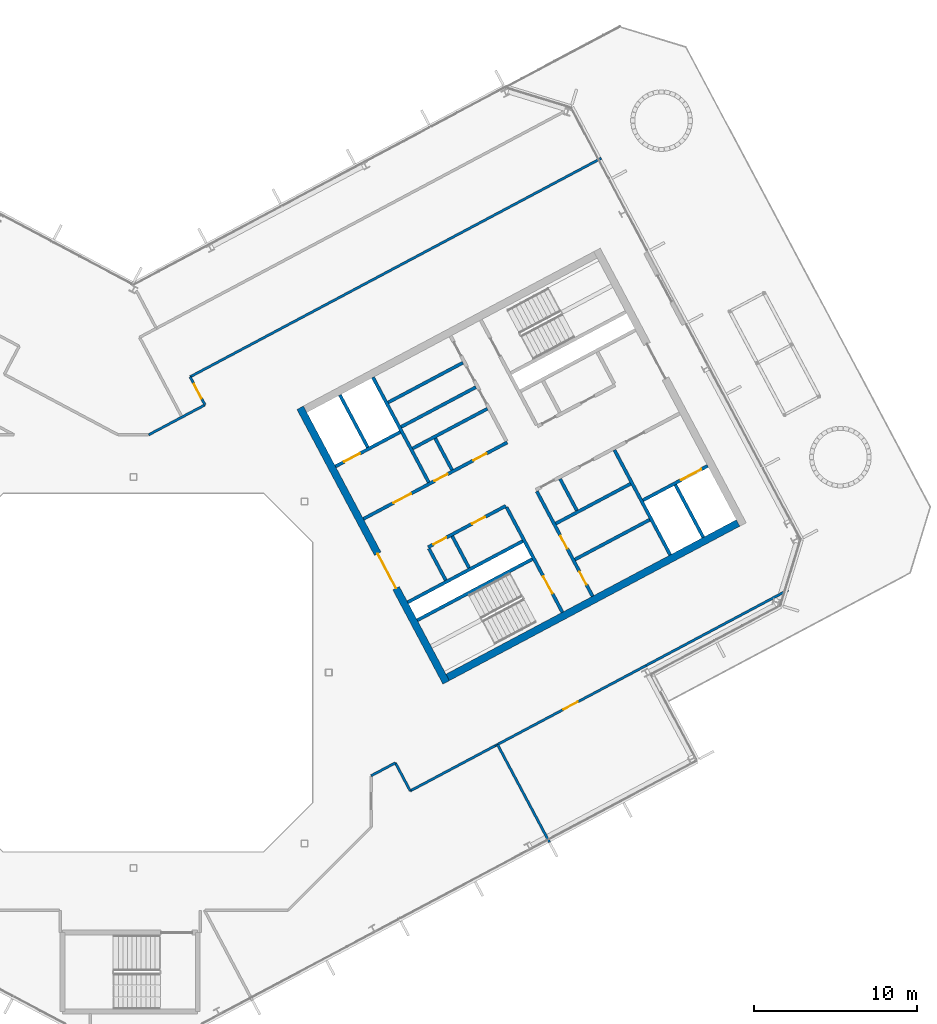
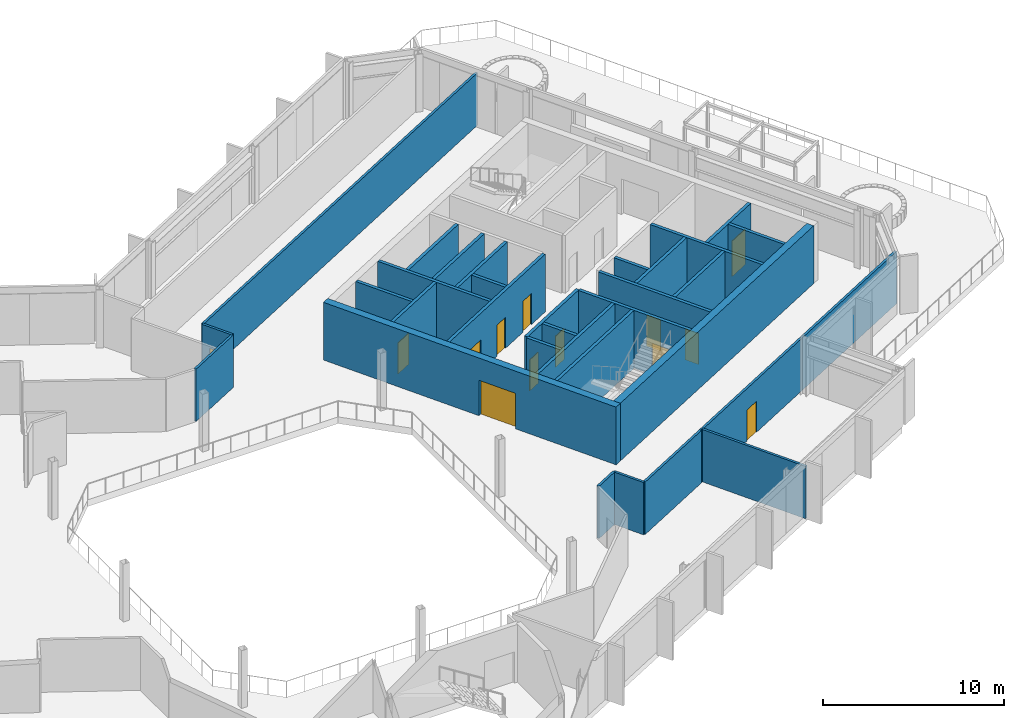
# One storey, part 17 of 30: 32 walls, 13 doors, 13 openings.
"""IFC4 building model written with IfcOpenShell, lengths in metres."""

from ifc_helpers import new_model, si_unit, direction, frame, frame_2d, origin, place, context, subcontext, project, spatial, rectangle, extrude, material, layer, layer_set, type_object, element, fill, save


model = new_model("IFC4")

# Units and contexts
model_context = context("Model", 3, precision=1e-05, world=origin(), true_north=direction((0.0, 1.0)))
body_context = subcontext(model_context, "Body", "Model", "MODEL_VIEW")
ifc_project = project(units=[si_unit("LENGTHUNIT", "METRE"), si_unit("AREAUNIT", "SQUARE_METRE"), si_unit("VOLUMEUNIT", "CUBIC_METRE"), si_unit("PLANEANGLEUNIT", "RADIAN"), si_unit("MASSUNIT", "GRAM", prefix="KILO")], contexts=[model_context])

# Site, building, storey
site_placement = place(None, origin())
site = spatial("IfcSite", under=ifc_project, at=site_placement, CompositionType="ELEMENT")
building_placement = place(site_placement, origin())
building = spatial("IfcBuilding", under=site, at=building_placement, Name="Cormorant Relay Tower", CompositionType="ELEMENT")
storey_placement = place(building_placement, frame((0.0, 0.0, 258.0)))
storey = spatial("IfcBuildingStorey", under=building, at=storey_placement, Name="L57", CompositionType="ELEMENT", Elevation=258.0)

# Walls
ifc_material_1 = material(Name="Concrete 40 MPa", Category="concrete")
ifc_layer_1 = layer(ifc_material_1, 0.199951171875)
ifc_layer_set_1 = layer_set([ifc_layer_1], Name="Core internal wall 200")
wall_type_1 = type_object("IfcWallType", Name="Core internal wall 200", PredefinedType="SOLIDWALL", material=ifc_layer_set_1)
for number, where, z_axis, x_axis, name in (
    (1, (20.614013671875, 6.430419921875, 0.0), (0.0, 0.0, 1.0), (-0.4694473164, 0.882960484464, 0.0), "L57 core B shaft and room wall"),
    (2, (19.568603515625, 12.443603515625, 0.0), (0.0, 0.0, 1.0), (-0.4694473164, 0.882960484464, 0.0), "L57 core B shaft and room wall"),
    (3, (27.236083984375, 9.951416015625, 0.0), (0.0, 0.0, 1.0), (-0.4694473164, 0.882960484464, 0.0), "L57 core B shaft and room wall"),
):
    element("IfcWall", number, at=place(storey_placement, frame(where, z_axis=z_axis, x_axis=x_axis)), inside=storey, type_object=wall_type_1, Name=name, PredefinedType="SOLIDWALL", context=body_context, shape_type="SweptSolid", body=[
        extrude(rectangle(XDim=2.199951171875, YDim=0.199951171875, at=frame_2d((1.10009765625, 0.0))), origin(), (0.0, 0.0, 1.0), 3.89990234375),
    ])
for number, where, z_axis, x_axis, name in (
    (4, (27.11474609375, 6.942138671875, 0.0), (0.0, 0.0, 1.0), (0.882934506056, 0.469496174655, 0.0), "L57 core B shaft and room wall"),
    (5, (16.442626953125, 15.085205078125, 0.0), (0.0, 0.0, 1.0), (0.882953967957, 0.469459572775, 0.0), "L57 core B shaft and room wall"),
    (6, (15.64453125, 16.586181640625, 0.0), (0.0, 0.0, 1.0), (0.882953967957, 0.469459572775, 0.0), "L57 core B shaft and room wall"),
):
    element("IfcWall", number, at=place(storey_placement, frame(where, z_axis=z_axis, x_axis=x_axis)), inside=storey, type_object=wall_type_1, Name=name, PredefinedType="SOLIDWALL", context=body_context, shape_type="SweptSolid", body=[
        extrude(rectangle(XDim=5.199951171875, YDim=0.199951171875, at=frame_2d((2.60009765625, 0.0))), origin(), (0.0, 0.0, 1.0), 3.89990234375),
    ])
ifc_material_2 = material(Name="Concrete 50 MPa", Category="concrete")
ifc_layer_2 = layer(ifc_material_2, 0.199951171875)
ifc_layer_set_2 = layer_set([ifc_layer_2], Name="Core shaft wall 200")
wall_type_2 = type_object("IfcWallType", Name="Core shaft wall 200", PredefinedType="SHEAR", material=ifc_layer_set_2)
wall_1_placement = place(storey_placement, frame((14.39404296875, 13.825927734375, 0.0), z_axis=(0.0, 0.0, 1.0), x_axis=(-0.469494272526, 0.882935517501, 0.0)))
element("IfcWall", 7, at=wall_1_placement, inside=storey, type_object=wall_type_2, Name="L57 core B shaft wall", PredefinedType="SHEAR", context=body_context, shape_type="SweptSolid", body=[
    extrude(rectangle(XDim=3.64990234375, YDim=0.199951171875, at=frame_2d((1.824951171875, 0.0))), origin(), (0.0, 0.0, 1.0), 3.89990234375),
])
wall_2_placement = place(storey_placement, frame((19.18359375, 5.669921875, 0.0), z_axis=(0.0, 0.0, 1.0), x_axis=(-0.4694473164, 0.882960484464, 0.0)))
element("IfcWall", 8, at=wall_2_placement, inside=storey, type_object=wall_type_2, Name="L57 core B shaft wall", PredefinedType="SHEAR", context=body_context, shape_type="SweptSolid", body=[
    extrude(rectangle(XDim=2.199951171875, YDim=0.199951171875, at=frame_2d((1.10009765625, 0.0))), origin(), (0.0, 0.0, 1.0), 3.89990234375),
])
wall_3_placement = place(storey_placement, frame((18.138427734375, 11.682861328125, 0.0), z_axis=(0.0, 0.0, 1.0), x_axis=(-0.469480409012, 0.88294288918, 0.0)))
element("IfcWall", 9, at=wall_3_placement, inside=storey, type_object=wall_type_2, Name="L57 core B shaft wall", PredefinedType="SHEAR", context=body_context, shape_type="SweptSolid", body=[
    extrude(rectangle(XDim=7.300048828125, YDim=0.199951171875, at=frame_2d((3.64990234375, 0.0))), origin(), (0.0, 0.0, 1.0), 3.89990234375),
])

# Wall, opening, door
wall_4_placement = place(storey_placement, frame((26.345947265625, 3.701904296875, 0.0), z_axis=(0.0, 0.0, 1.0), x_axis=(-0.469480409012, 0.88294288918, 0.0)))
wall_4 = element("IfcWall", 10, at=wall_4_placement, inside=storey, type_object=wall_type_2, Name="L57 core B shaft wall", PredefinedType="SHEAR", context=body_context, shape_type="SweptSolid", body=[
    extrude(rectangle(XDim=7.300048828125, YDim=0.199951171875, at=frame_2d((3.64990234375, 0.0))), origin(), (0.0, 0.0, 1.0), 3.89990234375),
])
opening_1_placement = place(wall_4_placement, frame((1.300048828125, 0.0, 0.0)))
opening_1 = element("IfcOpeningElement", 11, at=opening_1_placement, cuts=wall_4, Name="Opening CDB-040", PredefinedType="OPENING", context=body_context, shape_type="SweptSolid", body=[
    extrude(rectangle(XDim=1.199951171875, YDim=2.10009765625, at=frame_2d((0.60009765625, 1.050048828125))), frame((0.0, 0.10986328125, 0.0), z_axis=(0.0, -1.0, 0.0), x_axis=(1.0, 0.0, 0.0)), (0.0, 0.0, 1.0), 0.219970703125),
])
ifc_material_3 = material(Name="Steel fire door", Category="steel")
door_type_1 = type_object("IfcDoorType", Name="Core stair door 1200x2100", OperationType="SINGLE_SWING_LEFT", PredefinedType="DOOR", material=ifc_material_3)
door_1_placement = place(opening_1_placement, origin())
door_1 = element("IfcDoor", 12, at=door_1_placement, inside=storey, type_object=door_type_1, Name="Core stair door 1200x2100", OperationType="SINGLE_SWING_RIGHT", OverallHeight=2.10009765625, OverallWidth=1.199951171875, PredefinedType="DOOR", context=body_context, shape_type="SweptSolid", body=[
    extrude(rectangle(XDim=1.199951171875, YDim=2.10009765625, at=frame_2d((0.60009765625, 1.050048828125))), frame((0.0, 0.02490234375, 0.0), z_axis=(0.0, -1.0, 0.0), x_axis=(1.0, 0.0, 0.0)), (0.0, 0.0, 1.0), 0.050048828125),
])
fill(opening_1, door_1)

# Wall, openings, doors
wall_5_placement = place(storey_placement, frame((28.199951171875, 4.687744140625, 0.0), z_axis=(0.0, 0.0, 1.0), x_axis=(-0.469454336211, 0.882956752176, 0.0)))
wall_5 = element("IfcWall", 13, at=wall_5_placement, inside=storey, type_object=wall_type_2, Name="L57 core B shaft wall", PredefinedType="SHEAR", context=body_context, shape_type="SweptSolid", body=[
    extrude(rectangle(XDim=7.300048828125, YDim=0.199951171875, at=frame_2d((3.64990234375, 0.0))), origin(), (0.0, 0.0, 1.0), 3.89990234375),
])
opening_2_placement = place(wall_5_placement, frame((0.800048828125, 0.0, 0.0)))
opening_2 = element("IfcOpeningElement", 14, at=opening_2_placement, cuts=wall_5, Name="Opening CDD-286", PredefinedType="OPENING", context=body_context, shape_type="SweptSolid", body=[
    extrude(rectangle(XDim=0.89990234375, YDim=2.10009765625, at=frame_2d((0.449951171875, 1.050048828125))), frame((0.0, 0.10986328125, 0.0), z_axis=(0.0, -1.0, 0.0), x_axis=(1.0, 0.0, 0.0)), (0.0, 0.0, 1.0), 0.219970703125),
])
opening_3_placement = place(wall_5_placement, frame((3.300048828125, 0.0, 0.0)))
opening_3 = element("IfcOpeningElement", 15, at=opening_3_placement, cuts=wall_5, Name="Opening CDD-287", PredefinedType="OPENING", context=body_context, shape_type="SweptSolid", body=[
    extrude(rectangle(XDim=0.89990234375, YDim=2.10009765625, at=frame_2d((0.449951171875, 1.050048828125))), frame((0.0, 0.10986328125, 0.0), z_axis=(0.0, -1.0, 0.0), x_axis=(1.0, 0.0, 0.0)), (0.0, 0.0, 1.0), 0.219970703125),
])
ifc_material_4 = material(Name="Steel fire door", Category="steel")
door_type_2 = type_object("IfcDoorType", Name="Core room door 900x2100", OperationType="SINGLE_SWING_LEFT", PredefinedType="DOOR", material=ifc_material_4)
door_2_placement = place(opening_2_placement, frame((0.89990234375, 0.0, 0.0), z_axis=(0.0, 0.0, 1.0), x_axis=(-1.0, 0.0, 0.0)))
door_2 = element("IfcDoor", 16, at=door_2_placement, inside=storey, type_object=door_type_2, Name="Core room door 900x2100", OperationType="SINGLE_SWING_LEFT", OverallHeight=2.10009765625, OverallWidth=0.89990234375, PredefinedType="DOOR", context=body_context, shape_type="SweptSolid", body=[
    extrude(rectangle(XDim=0.89990234375, YDim=2.10009765625, at=frame_2d((0.449951171875, 1.050048828125))), frame((0.0, 0.02490234375, 0.0), z_axis=(0.0, -1.0, 0.0), x_axis=(1.0, 0.0, 0.0)), (0.0, 0.0, 1.0), 0.050048828125),
])
fill(opening_2, door_2)
door_3_placement = place(opening_3_placement, frame((0.89990234375, 0.0, 0.0), z_axis=(0.0, 0.0, 1.0), x_axis=(-1.0, 0.0, 0.0)))
door_3 = element("IfcDoor", 17, at=door_3_placement, inside=storey, type_object=door_type_2, Name="Core room door 900x2100", OperationType="SINGLE_SWING_LEFT", OverallHeight=2.10009765625, OverallWidth=0.89990234375, PredefinedType="DOOR", context=body_context, shape_type="SweptSolid", body=[
    extrude(rectangle(XDim=0.89990234375, YDim=2.10009765625, at=frame_2d((0.449951171875, 1.050048828125))), frame((0.0, 0.02490234375, 0.0), z_axis=(0.0, -1.0, 0.0), x_axis=(1.0, 0.0, 0.0)), (0.0, 0.0, 1.0), 0.050048828125),
])
fill(opening_3, door_3)

# Walls
wall_6_placement = place(storey_placement, frame((32.968017578125, 7.222900390625, 0.0), z_axis=(0.0, 0.0, 1.0), x_axis=(-0.469480409012, 0.88294288918, 0.0)))
element("IfcWall", 18, at=wall_6_placement, inside=storey, type_object=wall_type_2, Name="L57 core B shaft wall", PredefinedType="SHEAR", context=body_context, shape_type="SweptSolid", body=[
    extrude(rectangle(XDim=7.300048828125, YDim=0.199951171875, at=frame_2d((3.64990234375, 0.0))), origin(), (0.0, 0.0, 1.0), 3.89990234375),
])
wall_7_placement = place(storey_placement, frame((34.998779296875, 8.302734375, 0.0), z_axis=(0.0, 0.0, 1.0), x_axis=(-0.4694665462, 0.882950260207, 0.0)))
element("IfcWall", 19, at=wall_7_placement, inside=storey, type_object=wall_type_2, Name="L57 core B shaft wall", PredefinedType="SHEAR", context=body_context, shape_type="SweptSolid", body=[
    extrude(rectangle(XDim=3.650146484375, YDim=0.199951171875, at=frame_2d((1.8251953125, 0.0))), origin(), (0.0, 0.0, 1.0), 3.89990234375),
])
wall_8_placement = place(storey_placement, frame((17.43359375, 3.210205078125, 0.0), z_axis=(0.0, 0.0, 1.0), x_axis=(0.882940221191, 0.469485426614, 0.0)))
element("IfcWall", 20, at=wall_8_placement, inside=storey, type_object=wall_type_2, Name="L57 core B shaft wall", PredefinedType="SHEAR", context=body_context, shape_type="SweptSolid", body=[
    extrude(rectangle(XDim=8.0, YDim=0.199951171875, at=frame_2d((4.0, 0.0))), origin(), (0.0, 0.0, 1.0), 3.89990234375),
])

# Wall, opening, door
wall_9_placement = place(storey_placement, frame((31.295654296875, 10.5810546875, 0.0), z_axis=(0.0, 0.0, 1.0), x_axis=(0.882960433586, 0.469447412093, 0.0)))
wall_9 = element("IfcWall", 21, at=wall_9_placement, inside=storey, type_object=wall_type_2, Name="L57 core B shaft wall", PredefinedType="SHEAR", context=body_context, shape_type="SweptSolid", body=[
    extrude(rectangle(XDim=4.5, YDim=0.199951171875, at=frame_2d((2.25, 0.0))), origin(), (0.0, 0.0, 1.0), 3.89990234375),
])
opening_4_placement = place(wall_9_placement, frame((2.64990234375, 0.0, 0.0)))
opening_4 = element("IfcOpeningElement", 22, at=opening_4_placement, cuts=wall_9, Name="Opening LD3-016", PredefinedType="OPENING", context=body_context, shape_type="SweptSolid", body=[
    extrude(rectangle(XDim=1.39990234375, YDim=2.39990234375, at=frame_2d((0.699951171875, 1.199951171875))), frame((0.0, 0.10986328125, 0.0), z_axis=(0.0, -1.0, 0.0), x_axis=(1.0, 0.0, 0.0)), (0.0, 0.0, 1.0), 0.219970703125),
])
ifc_material_5 = material(Name="Stainless steel 316", Category="steel")
door_type_3 = type_object("IfcDoorType", Name="Lift landing door 1400x2400", OperationType="DOUBLE_DOOR_SLIDING", PredefinedType="DOOR", material=ifc_material_5)
door_4_placement = place(opening_4_placement, origin())
door_4 = element("IfcDoor", 23, at=door_4_placement, inside=storey, type_object=door_type_3, Name="SV2 landing door", OperationType="DOUBLE_DOOR_SLIDING", OverallHeight=2.39990234375, OverallWidth=1.39990234375, PredefinedType="DOOR", context=body_context, shape_type="SweptSolid", body=[
    extrude(rectangle(XDim=1.39990234375, YDim=2.39990234375, at=frame_2d((0.699951171875, 1.199951171875))), frame((0.0, 0.02490234375, 0.0), z_axis=(0.0, -1.0, 0.0), x_axis=(1.0, 0.0, 0.0)), (0.0, 0.0, 1.0), 0.050048828125),
])
fill(opening_4, door_4)

# Walls
wall_10_placement = place(storey_placement, frame((16.8466796875, 4.31396484375, 0.0), z_axis=(0.0, 0.0, 1.0), x_axis=(0.882940221191, 0.469485426614, 0.0)))
element("IfcWall", 24, at=wall_10_placement, inside=storey, type_object=wall_type_2, Name="L57 core B shaft wall", PredefinedType="SHEAR", context=body_context, shape_type="SweptSolid", body=[
    extrude(rectangle(XDim=8.0, YDim=0.199951171875, at=frame_2d((4.0, 0.0))), origin(), (0.0, 0.0, 1.0), 3.89990234375),
])
wall_11_placement = place(storey_placement, frame((25.94091796875, 9.149658203125, 0.0), z_axis=(0.0, 0.0, 1.0), x_axis=(0.882953967957, 0.469459572775, 0.0)))
element("IfcWall", 25, at=wall_11_placement, inside=storey, type_object=wall_type_2, Name="L57 core B shaft wall", PredefinedType="SHEAR", context=body_context, shape_type="SweptSolid", body=[
    extrude(rectangle(XDim=5.199951171875, YDim=0.199951171875, at=frame_2d((2.60009765625, 0.0))), origin(), (0.0, 0.0, 1.0), 3.89990234375),
])

# Wall, openings, doors
wall_12_placement = place(storey_placement, frame((18.103759765625, 7.70068359375, 0.0), z_axis=(0.0, 0.0, 1.0), x_axis=(0.882952937579, 0.469461510692, 0.0)))
wall_12 = element("IfcWall", 26, at=wall_12_placement, inside=storey, type_object=wall_type_2, Name="L57 core B shaft wall", PredefinedType="SHEAR", context=body_context, shape_type="SweptSolid", body=[
    extrude(rectangle(XDim=5.400146484375, YDim=0.199951171875, at=frame_2d((2.7001953125, 0.0))), origin(), (0.0, 0.0, 1.0), 3.89990234375),
])
opening_5_placement = place(wall_12_placement, frame((0.360107421875, 0.0, 0.0)))
opening_5 = element("IfcOpeningElement", 27, at=opening_5_placement, cuts=wall_12, Name="Opening CDD-245", PredefinedType="OPENING", context=body_context, shape_type="SweptSolid", body=[
    extrude(rectangle(XDim=0.89990234375, YDim=2.10009765625, at=frame_2d((0.449951171875, 1.050048828125))), frame((0.0, 0.10986328125, 0.0), z_axis=(0.0, -1.0, 0.0), x_axis=(1.0, 0.0, 0.0)), (0.0, 0.0, 1.0), 0.219970703125),
])
opening_6_placement = place(wall_12_placement, frame((3.06005859375, 0.0, 0.0)))
opening_6 = element("IfcOpeningElement", 28, at=opening_6_placement, cuts=wall_12, Name="Opening CDD-246", PredefinedType="OPENING", context=body_context, shape_type="SweptSolid", body=[
    extrude(rectangle(XDim=0.89990234375, YDim=2.10009765625, at=frame_2d((0.449951171875, 1.050048828125))), frame((0.0, 0.10986328125, 0.0), z_axis=(0.0, -1.0, 0.0), x_axis=(1.0, 0.0, 0.0)), (0.0, 0.0, 1.0), 0.219970703125),
])
door_5_placement = place(opening_5_placement, frame((0.89990234375, 0.0, 0.0), z_axis=(0.0, 0.0, 1.0), x_axis=(-1.0, 0.0, 0.0)))
door_5 = element("IfcDoor", 29, at=door_5_placement, inside=storey, type_object=door_type_2, Name="Core room door 900x2100", OperationType="SINGLE_SWING_RIGHT", OverallHeight=2.10009765625, OverallWidth=0.89990234375, PredefinedType="DOOR", context=body_context, shape_type="SweptSolid", body=[
    extrude(rectangle(XDim=0.89990234375, YDim=2.10009765625, at=frame_2d((0.449951171875, 1.050048828125))), frame((0.0, 0.02490234375, 0.0), z_axis=(0.0, -1.0, 0.0), x_axis=(1.0, 0.0, 0.0)), (0.0, 0.0, 1.0), 0.050048828125),
])
fill(opening_5, door_5)
door_6_placement = place(opening_6_placement, frame((0.89990234375, 0.0, 0.0), z_axis=(0.0, 0.0, 1.0), x_axis=(-1.0, 0.0, 0.0)))
door_6 = element("IfcDoor", 30, at=door_6_placement, inside=storey, type_object=door_type_2, Name="Core room door 900x2100", OperationType="SINGLE_SWING_RIGHT", OverallHeight=2.10009765625, OverallWidth=0.89990234375, PredefinedType="DOOR", context=body_context, shape_type="SweptSolid", body=[
    extrude(rectangle(XDim=0.89990234375, YDim=2.10009765625, at=frame_2d((0.449951171875, 1.050048828125))), frame((0.0, 0.02490234375, 0.0), z_axis=(0.0, -1.0, 0.0), x_axis=(1.0, 0.0, 0.0)), (0.0, 0.0, 1.0), 0.050048828125),
])
fill(opening_6, door_6)

wall_13_placement = place(storey_placement, frame((14.123779296875, 9.43505859375, 0.0), z_axis=(0.0, 0.0, 1.0), x_axis=(0.882940221191, 0.469485426614, 0.0)))
wall_13 = element("IfcWall", 31, at=wall_13_placement, inside=storey, type_object=wall_type_2, Name="L57 core B shaft wall", PredefinedType="SHEAR", context=body_context, shape_type="SweptSolid", body=[
    extrude(rectangle(XDim=10.0, YDim=0.199951171875, at=frame_2d((5.0, 0.0))), origin(), (0.0, 0.0, 1.0), 3.89990234375),
])
opening_7_placement = place(wall_13_placement, frame((2.10009765625, 0.0, 0.0)))
opening_7 = element("IfcOpeningElement", 32, at=opening_7_placement, cuts=wall_13, Name="Opening CDC-037", PredefinedType="OPENING", context=body_context, shape_type="SweptSolid", body=[
    extrude(rectangle(XDim=1.199951171875, YDim=2.10009765625, at=frame_2d((0.60009765625, 1.050048828125))), frame((0.0, 0.10986328125, 0.0), z_axis=(0.0, -1.0, 0.0), x_axis=(1.0, 0.0, 0.0)), (0.0, 0.0, 1.0), 0.219970703125),
])
opening_8_placement = place(wall_13_placement, frame((4.9599609375, 0.0, 0.0)))
opening_8 = element("IfcOpeningElement", 33, at=opening_8_placement, cuts=wall_13, Name="Opening CDD-293", PredefinedType="OPENING", context=body_context, shape_type="SweptSolid", body=[
    extrude(rectangle(XDim=0.89990234375, YDim=2.10009765625, at=frame_2d((0.449951171875, 1.050048828125))), frame((0.0, 0.10986328125, 0.0), z_axis=(0.0, -1.0, 0.0), x_axis=(1.0, 0.0, 0.0)), (0.0, 0.0, 1.0), 0.219970703125),
])
opening_9_placement = place(wall_13_placement, frame((7.659912109375, 0.0, 0.0)))
opening_9 = element("IfcOpeningElement", 34, at=opening_9_placement, cuts=wall_13, Name="Opening CDD-242", PredefinedType="OPENING", context=body_context, shape_type="SweptSolid", body=[
    extrude(rectangle(XDim=0.89990234375, YDim=2.10009765625, at=frame_2d((0.449951171875, 1.050048828125))), frame((0.0, 0.10986328125, 0.0), z_axis=(0.0, -1.0, 0.0), x_axis=(1.0, 0.0, 0.0)), (0.0, 0.0, 1.0), 0.219970703125),
])
ifc_material_6 = material(Name="Steel fire door", Category="steel")
door_type_4 = type_object("IfcDoorType", Name="Core lobby door 1200x2100", OperationType="SINGLE_SWING_LEFT", PredefinedType="DOOR", material=ifc_material_6)
door_7_placement = place(opening_7_placement, origin())
door_7 = element("IfcDoor", 35, at=door_7_placement, inside=storey, type_object=door_type_4, Name="Core lobby door 1200x2100", OperationType="SINGLE_SWING_RIGHT", OverallHeight=2.10009765625, OverallWidth=1.199951171875, PredefinedType="DOOR", context=body_context, shape_type="SweptSolid", body=[
    extrude(rectangle(XDim=1.199951171875, YDim=2.10009765625, at=frame_2d((0.60009765625, 1.050048828125))), frame((0.0, 0.02490234375, 0.0), z_axis=(0.0, -1.0, 0.0), x_axis=(1.0, 0.0, 0.0)), (0.0, 0.0, 1.0), 0.050048828125),
])
fill(opening_7, door_7)
door_8_placement = place(opening_8_placement, origin())
door_8 = element("IfcDoor", 36, at=door_8_placement, inside=storey, type_object=door_type_2, Name="Core room door 900x2100", OperationType="SINGLE_SWING_LEFT", OverallHeight=2.10009765625, OverallWidth=0.89990234375, PredefinedType="DOOR", context=body_context, shape_type="SweptSolid", body=[
    extrude(rectangle(XDim=0.89990234375, YDim=2.10009765625, at=frame_2d((0.449951171875, 1.050048828125))), frame((0.0, 0.02490234375, 0.0), z_axis=(0.0, -1.0, 0.0), x_axis=(1.0, 0.0, 0.0)), (0.0, 0.0, 1.0), 0.050048828125),
])
fill(opening_8, door_8)
door_9_placement = place(opening_9_placement, frame((0.89990234375, 0.0, 0.0), z_axis=(0.0, 0.0, 1.0), x_axis=(-1.0, 0.0, 0.0)))
door_9 = element("IfcDoor", 37, at=door_9_placement, inside=storey, type_object=door_type_2, Name="Core room door 900x2100", OperationType="SINGLE_SWING_RIGHT", OverallHeight=2.10009765625, OverallWidth=0.89990234375, PredefinedType="DOOR", context=body_context, shape_type="SweptSolid", body=[
    extrude(rectangle(XDim=0.89990234375, YDim=2.10009765625, at=frame_2d((0.449951171875, 1.050048828125))), frame((0.0, 0.02490234375, 0.0), z_axis=(0.0, -1.0, 0.0), x_axis=(1.0, 0.0, 0.0)), (0.0, 0.0, 1.0), 0.050048828125),
])
fill(opening_9, door_9)

# Wall
wall_14_placement = place(storey_placement, frame((17.146728515625, 13.7607421875, 0.0), z_axis=(0.0, 0.0, 1.0), x_axis=(0.882964314875, 0.469440111896, 0.0)))
element("IfcWall", 38, at=wall_14_placement, inside=storey, type_object=wall_type_2, Name="L57 core B shaft wall", PredefinedType="SHEAR", context=body_context, shape_type="SweptSolid", body=[
    extrude(rectangle(XDim=5.2001953125, YDim=0.199951171875, at=frame_2d((2.60009765625, 0.0))), origin(), (0.0, 0.0, 1.0), 3.89990234375),
])

# Wall, opening, door
wall_15_placement = place(storey_placement, frame((12.41015625, 12.657958984375, 0.0), z_axis=(0.0, 0.0, 1.0), x_axis=(0.8829484765, 0.469469900894, 0.0)))
wall_15 = element("IfcWall", 39, at=wall_15_placement, inside=storey, type_object=wall_type_2, Name="L57 core B shaft wall", PredefinedType="SHEAR", context=body_context, shape_type="SweptSolid", body=[
    extrude(rectangle(XDim=4.499755859375, YDim=0.199951171875, at=frame_2d((2.25, 0.0))), origin(), (0.0, 0.0, 1.0), 3.89990234375),
])
opening_10_placement = place(wall_15_placement, frame((0.60009765625, 0.0, 0.0)))
opening_10 = element("IfcOpeningElement", 40, at=opening_10_placement, cuts=wall_15, Name="Opening LD1-064", PredefinedType="OPENING", context=body_context, shape_type="SweptSolid", body=[
    extrude(rectangle(XDim=1.10009765625, YDim=2.10009765625, at=frame_2d((0.550048828125, 1.050048828125))), frame((0.0, 0.10986328125, 0.0), z_axis=(0.0, -1.0, 0.0), x_axis=(1.0, 0.0, 0.0)), (0.0, 0.0, 1.0), 0.219970703125),
])
ifc_material_7 = material(Name="Stainless steel 316", Category="steel")
door_type_5 = type_object("IfcDoorType", Name="Lift landing door 1100x2100", OperationType="DOUBLE_DOOR_SLIDING", PredefinedType="DOOR", material=ifc_material_7)
door_10_placement = place(opening_10_placement, origin())
door_10 = element("IfcDoor", 41, at=door_10_placement, inside=storey, type_object=door_type_5, Name="FF2 landing door", OperationType="DOUBLE_DOOR_SLIDING", OverallHeight=2.10009765625, OverallWidth=1.10009765625, PredefinedType="DOOR", context=body_context, shape_type="SweptSolid", body=[
    extrude(rectangle(XDim=1.10009765625, YDim=2.10009765625, at=frame_2d((0.550048828125, 1.050048828125))), frame((0.0, 0.02490234375, 0.0), z_axis=(0.0, -1.0, 0.0), x_axis=(1.0, 0.0, 0.0)), (0.0, 0.0, 1.0), 0.050048828125),
])
fill(opening_10, door_10)

ifc_material_8 = material(Name="Concrete 50 MPa", Category="concrete")
ifc_layer_3 = layer(ifc_material_8, 0.449951171875)
ifc_layer_set_3 = layer_set([ifc_layer_3], Name="Core wall 450")
wall_type_3 = type_object("IfcWallType", Name="Core wall 450", PredefinedType="SHEAR", material=ifc_layer_set_3)
wall_16_placement = place(storey_placement, frame((19.20654296875, -0.603759765625, 0.0), z_axis=(0.0, 0.0, 1.0), x_axis=(-0.469467968382, 0.882949504028, 0.0)))
wall_16 = element("IfcWall", 42, at=wall_16_placement, inside=storey, type_object=wall_type_3, Name="L57 core B wall", PredefinedType="SHEAR", context=body_context, shape_type="SweptSolid", body=[
    extrude(rectangle(XDim=19.099853515625, YDim=0.449951171875, at=frame_2d((9.5498046875, 0.0))), origin(), (0.0, 0.0, 1.0), 3.89990234375),
])
opening_11_placement = place(wall_16_placement, frame((6.550048828125, 0.0, 0.0)))
opening_11 = element("IfcOpeningElement", 43, at=opening_11_placement, cuts=wall_16, Name="Opening CDA-052", PredefinedType="OPENING", context=body_context, shape_type="SweptSolid", body=[
    extrude(rectangle(XDim=2.39990234375, YDim=2.39990234375, at=frame_2d((1.199951171875, 1.199951171875))), frame((0.0, 0.23486328125, 0.0), z_axis=(0.0, -1.0, 0.0), x_axis=(1.0, 0.0, 0.0)), (0.0, 0.0, 1.0), 0.469970703125),
])
ifc_material_9 = material(Name="Steel fire door", Category="steel")
door_type_6 = type_object("IfcDoorType", Name="Core lobby door 2400x2400", OperationType="DOUBLE_DOOR_SINGLE_SWING", PredefinedType="DOOR", material=ifc_material_9)
door_11_placement = place(opening_11_placement, frame((2.39990234375, 0.0, 0.0), z_axis=(0.0, 0.0, 1.0), x_axis=(-1.0, 0.0, 0.0)))
door_11 = element("IfcDoor", 44, at=door_11_placement, inside=storey, type_object=door_type_6, Name="Core lobby door 2400x2400", OperationType="DOUBLE_DOOR_SINGLE_SWING", OverallHeight=2.39990234375, OverallWidth=2.39990234375, PredefinedType="DOOR", context=body_context, shape_type="SweptSolid", body=[
    extrude(rectangle(XDim=2.39990234375, YDim=2.39990234375, at=frame_2d((1.199951171875, 1.199951171875))), frame((0.0, 0.02490234375, 0.0), z_axis=(0.0, -1.0, 0.0), x_axis=(1.0, 0.0, 0.0)), (0.0, 0.0, 1.0), 0.050048828125),
])
fill(opening_11, door_11)

# Walls
wall_17_placement = place(storey_placement, frame((19.299560546875, -0.29931640625, 0.0), z_axis=(0.0, 0.0, 1.0), x_axis=(0.88295276571, 0.46946183394, 0.0)))
element("IfcWall", 45, at=wall_17_placement, inside=storey, type_object=wall_type_3, Name="L57 core B wall", PredefinedType="SHEAR", context=body_context, shape_type="SweptSolid", body=[
    extrude(rectangle(XDim=20.199951171875, YDim=0.449951171875, at=frame_2d((10.10009765625, 0.0))), origin(), (0.0, 0.0, 1.0), 3.89990234375),
])
ifc_material_10 = material(Name="Gypsum board fire partition")
ifc_layer_4 = layer(ifc_material_10, 0.14990234375)
ifc_layer_set_4 = layer_set([ifc_layer_4], Name="Corridor partition 150 EI 60")
wall_type_4 = type_object("IfcWallType", Name="Corridor partition 150 EI 60", PredefinedType="PARTITIONING", material=ifc_layer_set_4)
wall_18_placement = place(storey_placement, frame((0.93896484375, 14.60009765625, 0.0), z_axis=(0.0, 0.0, 1.0), x_axis=(0.882925173343, 0.469513725333, 0.0)))
element("IfcWall", 46, at=wall_18_placement, inside=storey, type_object=wall_type_4, Name="wall/L57/part/035", PredefinedType="PARTITIONING", context=body_context, shape_type="SweptSolid", body=[
    extrude(rectangle(XDim=3.91650390625, YDim=0.14990234375, at=frame_2d((1.958251953125, 0.0))), origin(), (0.0, 0.0, 1.0), 3.5400390625),
])

# Wall, opening, door
wall_19_placement = place(storey_placement, frame((4.39697265625, 16.43896484375, 0.0), z_axis=(0.0, 0.0, 1.0), x_axis=(-0.469469630874, 0.882948620072, 0.0)))
wall_19 = element("IfcWall", 47, at=wall_19_placement, inside=storey, type_object=wall_type_4, Name="wall/L57/part/036", PredefinedType="PARTITIONING", context=body_context, shape_type="SweptSolid", body=[
    extrude(rectangle(XDim=1.948974609375, YDim=0.14990234375, at=frame_2d((0.974609375, 0.0))), origin(), (0.0, 0.0, 1.0), 3.5400390625),
])
opening_12_placement = place(wall_19_placement, frame((0.449951171875, 0.0, 0.0)))
opening_12 = element("IfcOpeningElement", 48, at=opening_12_placement, cuts=wall_19, Name="Opening DS-190", PredefinedType="OPENING", context=body_context, shape_type="SweptSolid", body=[
    extrude(rectangle(XDim=1.0, YDim=2.10009765625, at=frame_2d((0.5, 1.050048828125))), frame((0.0, 0.0849609375, 0.0), z_axis=(0.0, -1.0, 0.0), x_axis=(1.0, 0.0, 0.0)), (0.0, 0.0, 1.0), 0.169921875),
])
ifc_material_11 = material(Name="Timber door leaf", Category="wood")
door_type_7 = type_object("IfcDoorType", Name="Suite door 1000x2100", OperationType="SINGLE_SWING_LEFT", PredefinedType="DOOR", material=ifc_material_11)
door_12_placement = place(opening_12_placement, origin())
door_12 = element("IfcDoor", 49, at=door_12_placement, inside=storey, type_object=door_type_7, Name="door/L57/004", OperationType="SINGLE_SWING_LEFT", OverallHeight=2.10009765625, OverallWidth=1.0, PredefinedType="DOOR", context=body_context, shape_type="SweptSolid", body=[
    extrude(rectangle(XDim=1.0, YDim=2.10009765625, at=frame_2d((0.5, 1.050048828125))), frame((0.0, 0.02490234375, 0.0), z_axis=(0.0, -1.0, 0.0), x_axis=(1.0, 0.0, 0.0)), (0.0, 0.0, 1.0), 0.050048828125),
])
fill(opening_12, door_12)

# Walls
wall_20_placement = place(storey_placement, frame((3.48193359375, 18.159912109375, 0.0), z_axis=(0.0, 0.0, 1.0), x_axis=(0.882943240209, 0.469479748838, 0.0)))
element("IfcWall", 50, at=wall_20_placement, inside=storey, type_object=wall_type_4, Name="wall/L57/part/043", PredefinedType="PARTITIONING", context=body_context, shape_type="SweptSolid", body=[
    extrude(rectangle(XDim=28.599853515625, YDim=0.14990234375, at=frame_2d((14.2998046875, 0.0))), origin(), (0.0, 0.0, 1.0), 3.5400390625),
])
wall_21_placement = place(storey_placement, frame((14.60009765625, -6.337890625, 0.0), z_axis=(0.0, 0.0, 1.0), x_axis=(0.882894129298, 0.46957209931, 0.0)))
element("IfcWall", 51, at=wall_21_placement, inside=storey, type_object=wall_type_4, Name="wall/L57/part/049", PredefinedType="PARTITIONING", context=body_context, shape_type="SweptSolid", body=[
    extrude(rectangle(XDim=1.68408203125, YDim=0.14990234375, at=frame_2d((0.842041015625, 0.0))), origin(), (0.0, 0.0, 1.0), 3.5400390625),
])
wall_22_placement = place(storey_placement, frame((22.219970703125, -4.493896484375, 0.0), z_axis=(0.0, 0.0, 1.0), x_axis=(-0.882863642012, -0.469629417322, 0.0)))
element("IfcWall", 52, at=wall_22_placement, inside=storey, type_object=wall_type_4, Name="wall/L57/part/050", PredefinedType="PARTITIONING", context=body_context, shape_type="SweptSolid", body=[
    extrude(rectangle(XDim=5.9091796875, YDim=0.14990234375, at=frame_2d((2.95458984375, 0.0))), origin(), (0.0, 0.0, 1.0), 3.5400390625),
])
wall_23_placement = place(storey_placement, frame((17.0029296875, -7.26904296875, 0.0), z_axis=(0.0, 0.0, 1.0), x_axis=(-0.469396661375, 0.882987414571, 0.0)))
element("IfcWall", 53, at=wall_23_placement, inside=storey, type_object=wall_type_4, Name="wall/L57/part/051", PredefinedType="PARTITIONING", context=body_context, shape_type="SweptSolid", body=[
    extrude(rectangle(XDim=1.94677734375, YDim=0.14990234375, at=frame_2d((0.973388671875, 0.0))), origin(), (0.0, 0.0, 1.0), 3.5400390625),
])

# Wall, opening, door
wall_24_placement = place(storey_placement, frame((31.48193359375, 0.429931640625, 0.0), z_axis=(0.0, 0.0, 1.0), x_axis=(-0.882980979183, -0.469408766855, 0.0)))
wall_24 = element("IfcWall", 54, at=wall_24_placement, inside=storey, type_object=wall_type_4, Name="wall/L57/part/053", PredefinedType="PARTITIONING", context=body_context, shape_type="SweptSolid", body=[
    extrude(rectangle(XDim=10.489501953125, YDim=0.14990234375, at=frame_2d((5.24462890625, 0.0))), origin(), (0.0, 0.0, 1.0), 3.5400390625),
])
opening_13_placement = place(wall_24_placement, frame((4.75, 0.0, 0.0)))
opening_13 = element("IfcOpeningElement", 55, at=opening_13_placement, cuts=wall_24, Name="Opening DS-189", PredefinedType="OPENING", context=body_context, shape_type="SweptSolid", body=[
    extrude(rectangle(XDim=1.0, YDim=2.10009765625, at=frame_2d((0.5, 1.050048828125))), frame((0.0, 0.0849609375, 0.0), z_axis=(0.0, -1.0, 0.0), x_axis=(1.0, 0.0, 0.0)), (0.0, 0.0, 1.0), 0.169921875),
])
door_13_placement = place(opening_13_placement, origin())
door_13 = element("IfcDoor", 56, at=door_13_placement, inside=storey, type_object=door_type_7, Name="door/L57/003", OperationType="SINGLE_SWING_RIGHT", OverallHeight=2.10009765625, OverallWidth=1.0, PredefinedType="DOOR", context=body_context, shape_type="SweptSolid", body=[
    extrude(rectangle(XDim=1.0, YDim=2.10009765625, at=frame_2d((0.5, 1.050048828125))), frame((0.0, 0.02490234375, 0.0), z_axis=(0.0, -1.0, 0.0), x_axis=(1.0, 0.0, 0.0)), (0.0, 0.0, 1.0), 0.050048828125),
])
fill(opening_13, door_13)

# Walls
wall_25_placement = place(storey_placement, frame((31.48193359375, 0.429931640625, 0.0), z_axis=(0.0, 0.0, 1.0), x_axis=(0.882810515835, 0.469729276426, 0.0)))
element("IfcWall", 57, at=wall_25_placement, inside=storey, type_object=wall_type_4, Name="wall/L57/part/054", PredefinedType="PARTITIONING", context=body_context, shape_type="SweptSolid", body=[
    extrude(rectangle(XDim=9.88671875, YDim=0.14990234375, at=frame_2d((4.943359375, 0.0))), origin(), (0.0, 0.0, 1.0), 3.5400390625),
])
ifc_material_12 = material(Name="Gypsum board partition")
ifc_layer_5 = layer(ifc_material_12, 0.14990234375)
ifc_layer_set_5 = layer_set([ifc_layer_5], Name="Tenant partition 150")
wall_type_5 = type_object("IfcWallType", Name="Tenant partition 150", PredefinedType="PARTITIONING", material=ifc_layer_set_5)
wall_26_placement = place(storey_placement, frame((22.360107421875, -4.419921875, 0.0), z_axis=(0.0, 0.0, 1.0), x_axis=(0.46940634221, -0.882982268164, 0.0)))
element("IfcWall", 58, at=wall_26_placement, inside=storey, type_object=wall_type_5, Name="wall/L57/part/052", PredefinedType="PARTITIONING", context=body_context, shape_type="SweptSolid", body=[
    extrude(rectangle(XDim=6.7998046875, YDim=0.14990234375, at=frame_2d((3.39990234375, 0.0))), origin(), (0.0, 0.0, 1.0), 3.5400390625),
])

save(model, "model.ifc")
